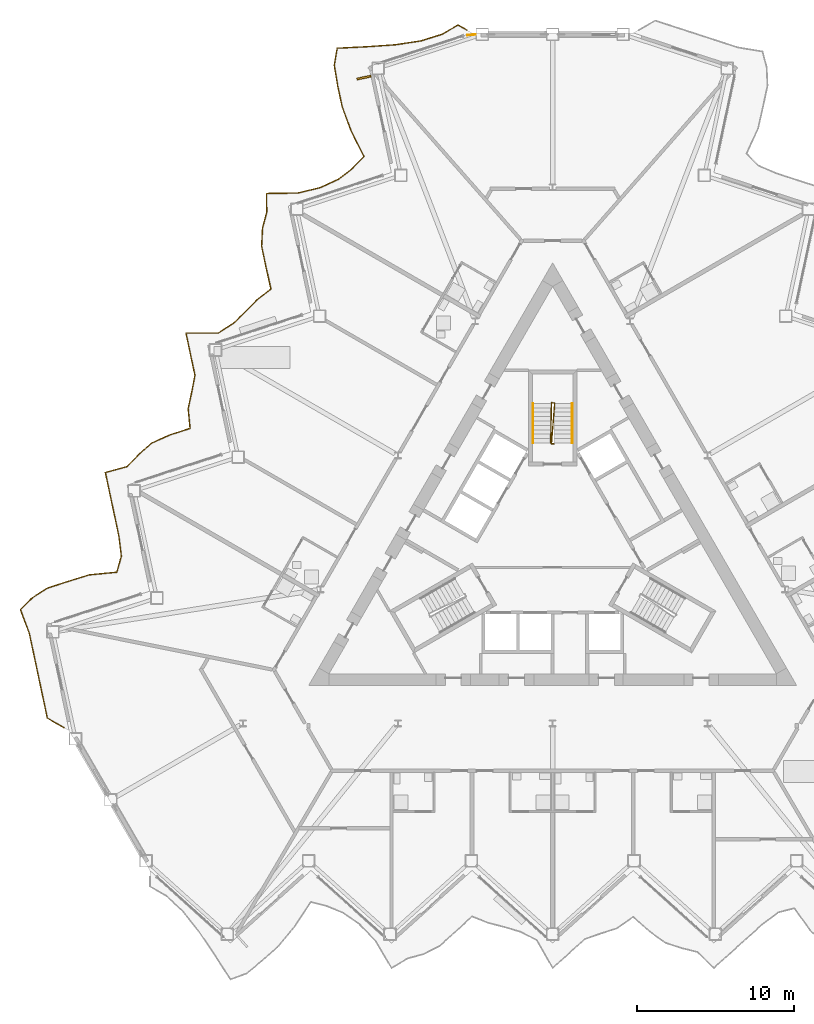
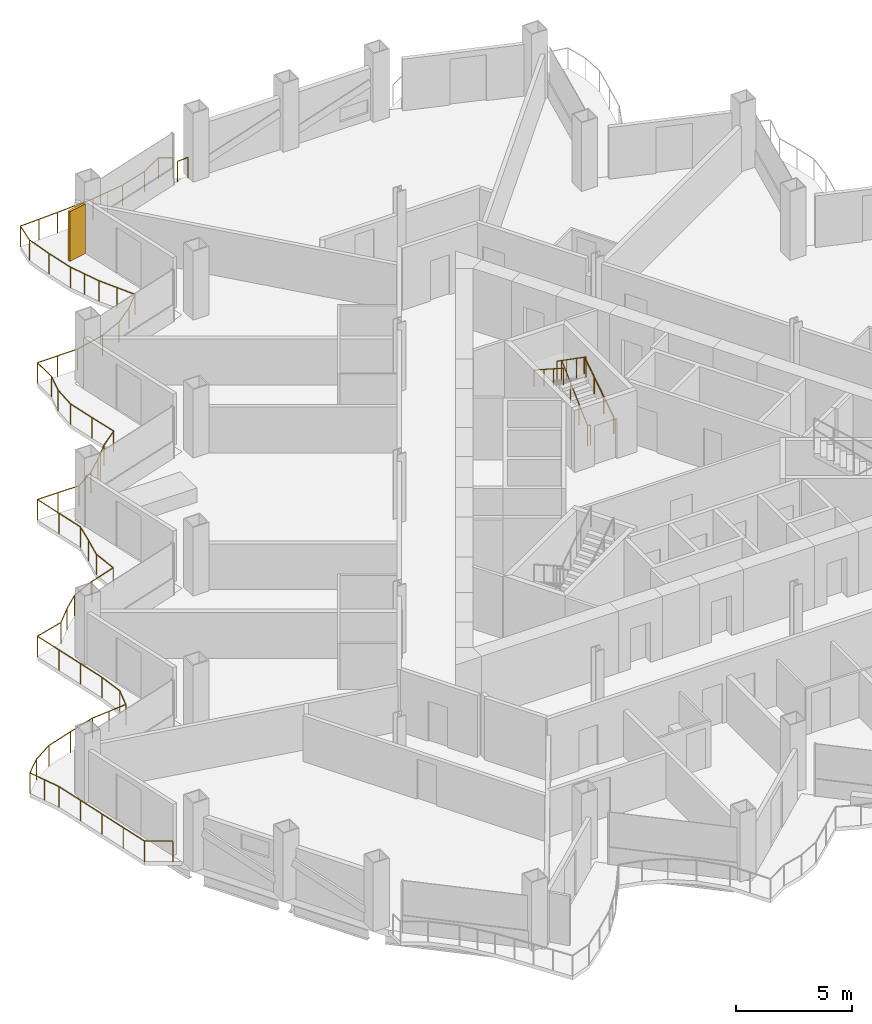
# One storey, part 20 of 23: 5 railings, 1 shading device.
"""IFC4 building model written with IfcOpenShell, lengths in metres."""

from ifc_helpers import new_model, si_unit, direction, frame, origin, origin_2d, place, context, subcontext, project, spatial, rectangle, circle, extrude, material, layer, layer_set, type_object, element, save


model = new_model("IFC4")

# Units and contexts
model_context = context("Model", 3, precision=1e-05, world=origin(), true_north=direction((0.0, 1.0)))
body_context = subcontext(model_context, "Body", "Model", "MODEL_VIEW")
ifc_project = project(units=[si_unit("LENGTHUNIT", "METRE"), si_unit("AREAUNIT", "SQUARE_METRE"), si_unit("VOLUMEUNIT", "CUBIC_METRE"), si_unit("PLANEANGLEUNIT", "RADIAN"), si_unit("MASSUNIT", "GRAM", prefix="KILO")], contexts=[model_context])

# Site, building, storey
site_placement = place(None, origin())
site = spatial("IfcSite", under=ifc_project, at=site_placement, CompositionType="ELEMENT")
building_placement = place(site_placement, origin())
building = spatial("IfcBuilding", under=site, at=building_placement, Name="Cormorant Prow Tower", CompositionType="ELEMENT")
storey_placement = place(building_placement, frame((0.0, 0.0, 176.39990234375)))
storey = spatial("IfcBuildingStorey", under=building, at=storey_placement, Name="L37", CompositionType="ELEMENT", Elevation=176.39990234375)

# Railings
ifc_material_1 = material(Name="Aluminium 6063-T6", Category="aluminium")
railing_type_1 = type_object("IfcRailingType", Name="Balcony guard 1100", PredefinedType="GUARDRAIL", material=ifc_material_1)
railing_1_placement = place(storey_placement, frame((-5.452880859375, 32.683837890625, 0.0)))
element("IfcRailing", 1, at=railing_1_placement, inside=storey, type_object=railing_type_1, Name="Balcony guard WNW", PredefinedType="GUARDRAIL", context=body_context, shape_type="SweptSolid", body=[
    extrude(circle(Radius=0.02392578125, at=origin_2d()), frame((0.0, 0.0, 1.076171875), z_axis=(-0.866038622153, 0.499977104415, 0.0), x_axis=(-0.499977104415, -0.866038622153, 0.0)), (0.0, 0.0, 1.0), 0.63623046875),
    extrude(circle(Radius=0.02392578125, at=origin_2d()), frame((-0.551025390625, 0.318115234375, 1.076171875), z_axis=(-0.866663041121, -0.498893949809, 0.0), x_axis=(0.498893949809, -0.866663041121, 0.0)), (0.0, 0.0, 1.0), 1.182373046875),
    extrude(circle(Radius=0.02392578125, at=origin_2d()), frame((-1.57568359375, -0.271728515625, 1.076171875), z_axis=(-0.953826861805, -0.300356983769, 0.0), x_axis=(0.300356983769, -0.953826861805, 0.0)), (0.0, 0.0, 1.0), 1.388427734375),
    extrude(circle(Radius=0.02392578125, at=origin_2d()), frame((-2.89990234375, -0.688720703125, 1.076171875), z_axis=(-0.988627028281, -0.150388160943, 0.0), x_axis=(0.150388160943, -0.988627028281, 0.0)), (0.0, 0.0, 1.0), 1.637939453125),
    extrude(circle(Radius=0.02392578125, at=origin_2d()), frame((-4.519287109375, -0.93505859375, 1.076171875), z_axis=(-0.997592938888, -0.069342110443, 0.0), x_axis=(0.069342110443, -0.997592938888, 0.0)), (0.0, 0.0, 1.0), 1.830810546875),
    extrude(circle(Radius=0.02392578125, at=origin_2d()), frame((-6.345703125, -1.06201171875, 1.076171875), z_axis=(-0.998798653488, -0.049002548825, 0.0), x_axis=(0.049002548825, -0.998798653488, 0.0)), (0.0, 0.0, 1.0), 1.88818359375),
    extrude(circle(Radius=0.02392578125, at=origin_2d()), frame((-8.231689453125, -1.154541015625, 1.076171875), z_axis=(-0.169914413175, -0.985458823186, 0.0), x_axis=(0.985458823186, -0.169914413175, 0.0)), (0.0, 0.0, 1.0), 1.090576171875),
    extrude(circle(Radius=0.02392578125, at=origin_2d()), frame((-8.4169921875, -2.229248046875, 1.076171875), z_axis=(0.163531909197, -0.986538045224, 0.0), x_axis=(0.986538045224, 0.163531909197, 0.0)), (0.0, 0.0, 1.0), 1.32421875),
    extrude(circle(Radius=0.02392578125, at=origin_2d()), frame((-8.200439453125, -3.53564453125, 1.076171875), z_axis=(0.208002968159, -0.978128194685, 0.0), x_axis=(0.978128194685, 0.208002968159, 0.0)), (0.0, 0.0, 1.0), 1.376708984375),
    extrude(circle(Radius=0.02392578125, at=origin_2d()), frame((-7.9140625, -4.88232421875, 1.076171875), z_axis=(0.347145599301, -0.937811245873, 0.0), x_axis=(0.937811245873, 0.347145599301, 0.0)), (0.0, 0.0, 1.0), 1.60205078125),
    extrude(circle(Radius=0.02392578125, at=origin_2d()), frame((-7.35791015625, -6.384765625, 1.076171875), z_axis=(0.446212366822, -0.894927105241, 0.0), x_axis=(0.894927105241, 0.446212366822, 0.0)), (0.0, 0.0, 1.0), 1.853759765625),
    extrude(circle(Radius=0.02392578125, at=origin_2d()), frame((-6.53076171875, -8.043701171875, 1.076171875), z_axis=(-0.700724814404, -0.713431660692, 0.0), x_axis=(0.713431660692, -0.700724814404, 0.0)), (0.0, 0.0, 1.0), 1.056640625),
    extrude(circle(Radius=0.02392578125, at=origin_2d()), frame((-7.271240234375, -8.797607421875, 1.076171875), z_axis=(-0.791037314197, -0.611767903332, 0.0), x_axis=(0.611767903332, -0.791037314197, 0.0)), (0.0, 0.0, 1.0), 1.105712890625),
    extrude(circle(Radius=0.02392578125, at=origin_2d()), frame((-8.14599609375, -9.47412109375, 1.076171875), z_axis=(-0.90658206108, -0.422029580158, 0.0), x_axis=(0.422029580158, -0.90658206108, 0.0)), (0.0, 0.0, 1.0), 1.24951171875),
    extrude(circle(Radius=0.02392578125, at=origin_2d()), frame((-9.27880859375, -10.00146484375, 1.076171875), z_axis=(-0.971860383997, -0.23555762356, 0.0), x_axis=(0.23555762356, -0.971860383997, 0.0)), (0.0, 0.0, 1.0), 1.483154296875),
    extrude(circle(Radius=0.02392578125, at=origin_2d()), frame((-10.72021484375, -10.350830078125, 1.076171875), z_axis=(-0.999908124347, -0.01355517853, 0.0), x_axis=(0.01355517853, -0.999908124347, 0.0)), (0.0, 0.0, 1.0), 1.999267578125),
    extrude(circle(Radius=0.02392578125, at=origin_2d()), frame((-12.71923828125, -10.3779296875, 1.076171875), z_axis=(0.012106643957, -0.9999267119, 0.0), x_axis=(0.9999267119, 0.012106643957, 0.0)), (0.0, 0.0, 1.0), 1.189697265625),
    extrude(circle(Radius=0.02392578125, at=origin_2d()), frame((-12.704833984375, -11.567626953125, 1.076171875), z_axis=(-0.253836229933, -0.967247211613, 0.0), x_axis=(0.967247211613, -0.253836229933, 0.0)), (0.0, 0.0, 1.0), 1.060791015625),
    extrude(circle(Radius=0.02392578125, at=origin_2d()), frame((-12.97412109375, -12.59375, 1.076171875), z_axis=(-0.048381770331, -0.998828916431, 0.0), x_axis=(0.998828916431, -0.048381770331, 0.0)), (0.0, 0.0, 1.0), 1.150634765625),
    extrude(circle(Radius=0.02392578125, at=origin_2d()), frame((-13.02978515625, -13.742919921875, 1.076171875), z_axis=(0.208002968159, -0.978128194685, 0.0), x_axis=(0.978128194685, 0.208002968159, 0.0)), (0.0, 0.0, 1.0), 1.376708984375),
    extrude(circle(Radius=0.02392578125, at=origin_2d()), frame((-12.743408203125, -15.089599609375, 1.076171875), z_axis=(0.218584635198, -0.975817993919, 0.0), x_axis=(0.975817993919, 0.218584635198, 0.0)), (0.0, 0.0, 1.0), 1.390625),
    extrude(circle(Radius=0.02392578125, at=origin_2d()), frame((-12.439453125, -16.446533203125, 1.076171875), z_axis=(-0.786049268655, -0.618163851456, 0.0), x_axis=(0.618163851456, -0.786049268655, 0.0)), (0.0, 0.0, 1.0), 1.102294921875),
    extrude(circle(Radius=0.02392578125, at=origin_2d()), frame((-13.305908203125, -17.1279296875, 1.076171875), z_axis=(-0.699086114757, -0.715037484439, 0.0), x_axis=(0.715037484439, -0.699086114757, 0.0)), (0.0, 0.0, 1.0), 1.05615234375),
    extrude(circle(Radius=0.02392578125, at=origin_2d()), frame((-14.044189453125, -17.883056640625, 1.076171875), z_axis=(-0.724845128214, -0.688911852202, 0.0), x_axis=(0.688911852202, -0.724845128214, 0.0)), (0.0, 0.0, 1.0), 1.066650390625),
    extrude(circle(Radius=0.02392578125, at=origin_2d()), frame((-14.8173828125, -18.617919921875, 1.076171875), z_axis=(-0.837767194075, -0.546027589534, 0.0), x_axis=(0.546027589534, -0.837767194075, 0.0)), (0.0, 0.0, 1.0), 1.147216796875),
    extrude(circle(Radius=0.02392578125, at=origin_2d()), frame((-15.778564453125, -19.244384765625, 1.076171875), z_axis=(-0.999995940652, 0.002849329523, 0.0), x_axis=(-0.002849329523, -0.999995940652, 0.0)), (0.0, 0.0, 1.0), 2.056396484375),
    extrude(circle(Radius=0.02392578125, at=origin_2d()), frame((-17.8349609375, -19.238525390625, 1.076171875), z_axis=(0.207833305176, -0.978164258834, 0.0), x_axis=(0.978164258834, 0.207833305176, 0.0)), (0.0, 0.0, 1.0), 1.376708984375),
    extrude(circle(Radius=0.02392578125, at=origin_2d()), frame((-17.548828125, -20.585205078125, 1.076171875), z_axis=(0.208002968159, -0.978128194685, 0.0), x_axis=(0.978128194685, 0.208002968159, 0.0)), (0.0, 0.0, 1.0), 1.376708984375),
    extrude(circle(Radius=0.02392578125, at=origin_2d()), frame((-17.262451171875, -21.931884765625, 1.076171875), z_axis=(-0.189909697907, -0.981801561743, 0.0), x_axis=(0.981801561743, -0.189909697907, 0.0)), (0.0, 0.0, 1.0), 1.08251953125),
    extrude(circle(Radius=0.02392578125, at=origin_2d()), frame((-17.468017578125, -22.99462890625, 1.076171875), z_axis=(-0.209063998537, -0.977901960585, 0.0), x_axis=(0.977901960585, -0.209063998537, 0.0)), (0.0, 0.0, 1.0), 1.075439453125),
    extrude(circle(Radius=0.02392578125, at=origin_2d()), frame((-17.69287109375, -24.04638671875, 1.076171875), z_axis=(0.095423555182, -0.995436760983, 0.0), x_axis=(0.995436760983, 0.095423555182, 0.0)), (0.0, 0.0, 1.0), 1.256103515625),
    extrude(circle(Radius=0.02392578125, at=origin_2d()), frame((-17.572998046875, -25.296875, 1.076171875), z_axis=(-0.951032765546, -0.309090082108, 0.0), x_axis=(0.309090082108, -0.951032765546, 0.0)), (0.0, 0.0, 1.0), 1.376708984375),
    extrude(circle(Radius=0.02392578125, at=origin_2d()), frame((-18.88232421875, -25.722412109375, 1.076171875), z_axis=(-0.911438592886, -0.41143613283, 0.0), x_axis=(0.41143613283, -0.911438592886, 0.0)), (0.0, 0.0, 1.0), 1.259765625),
    extrude(circle(Radius=0.02392578125, at=origin_2d()), frame((-20.030517578125, -26.24072265625, 1.076171875), z_axis=(-0.743440776752, -0.668801772922, 0.0), x_axis=(0.668801772922, -0.743440776752, 0.0)), (0.0, 0.0, 1.0), 1.076171875),
    extrude(circle(Radius=0.02392578125, at=origin_2d()), frame((-20.83056640625, -26.96044921875, 1.076171875), z_axis=(-0.694255556415, -0.719728575497, 0.0), x_axis=(0.719728575497, -0.694255556415, 0.0)), (0.0, 0.0, 1.0), 1.05419921875),
    extrude(circle(Radius=0.02392578125, at=origin_2d()), frame((-21.5625, -27.71923828125, 1.076171875), z_axis=(-0.964536414051, -0.263949817141, 0.0), x_axis=(0.263949817141, -0.964536414051, 0.0)), (0.0, 0.0, 1.0), 1.439208984375),
    extrude(circle(Radius=0.02392578125, at=origin_2d()), frame((-22.95068359375, -28.09912109375, 1.076171875), z_axis=(0.207797260524, -0.978171916648, 0.0), x_axis=(0.978171916648, 0.207797260524, 0.0)), (0.0, 0.0, 1.0), 1.376953125),
    extrude(circle(Radius=0.02392578125, at=origin_2d()), frame((-22.66455078125, -29.446044921875, 1.076171875), z_axis=(0.208039051809, -0.978120520653, 0.0), x_axis=(0.978120520653, 0.208039051809, 0.0)), (0.0, 0.0, 1.0), 1.37646484375),
    extrude(circle(Radius=0.02392578125, at=origin_2d()), frame((-22.378173828125, -30.79248046875, 1.076171875), z_axis=(0.207833305176, -0.978164258834, 0.0), x_axis=(0.978164258834, 0.207833305176, 0.0)), (0.0, 0.0, 1.0), 1.376708984375),
    extrude(circle(Radius=0.02392578125, at=origin_2d()), frame((-22.092041015625, -32.13916015625, 1.076171875), z_axis=(0.121947285507, -0.992536578448, 0.0), x_axis=(0.992536578448, 0.121947285507, 0.0)), (0.0, 0.0, 1.0), 1.28125),
    extrude(circle(Radius=0.02392578125, at=origin_2d()), frame((-21.935791015625, -33.410888671875, 1.076171875), z_axis=(-0.270290231117, -0.962778889965, 0.0), x_axis=(0.962778889965, -0.270290231117, 0.0)), (0.0, 0.0, 1.0), 1.055908203125),
    extrude(circle(Radius=0.02392578125, at=origin_2d()), frame((-22.22119140625, -34.427490234375, 1.076171875), z_axis=(-0.995438663589, -0.095403705552, 0.0), x_axis=(0.095403705552, -0.995438663589, 0.0)), (0.0, 0.0, 1.0), 1.76318359375),
    extrude(circle(Radius=0.02392578125, at=origin_2d()), frame((-23.976318359375, -34.595703125, 1.076171875), z_axis=(-0.955113715123, -0.296239415311, 0.0), x_axis=(0.296239415311, -0.955113715123, 0.0)), (0.0, 0.0, 1.0), 1.3935546875),
    extrude(circle(Radius=0.02392578125, at=origin_2d()), frame((-25.307373046875, -35.008544921875, 1.076171875), z_axis=(-0.951084882537, -0.308929678422, 0.0), x_axis=(0.308929678422, -0.951084882537, 0.0)), (0.0, 0.0, 1.0), 1.376708984375),
    extrude(circle(Radius=0.02392578125, at=origin_2d()), frame((-26.61669921875, -35.433837890625, 1.076171875), z_axis=(-0.84373988397, -0.536752278243, 0.0), x_axis=(0.536752278243, -0.84373988397, 0.0)), (0.0, 0.0, 1.0), 1.154052734375),
    extrude(circle(Radius=0.02392578125, at=origin_2d()), frame((-27.59033203125, -36.05322265625, 1.076171875), z_axis=(-0.711578739804, -0.702606359962, 0.0), x_axis=(0.702606359962, -0.711578739804, 0.0)), (0.0, 0.0, 1.0), 1.061279296875),
    extrude(circle(Radius=0.02392578125, at=origin_2d()), frame((-28.345458984375, -36.798828125, 1.076171875), z_axis=(0.350990514633, -0.936379014416, 0.0), x_axis=(0.936379014416, 0.350990514633, 0.0)), (0.0, 0.0, 1.0), 1.6103515625),
    extrude(circle(Radius=0.02392578125, at=origin_2d()), frame((-27.7802734375, -38.306640625, 1.076171875), z_axis=(0.208002968159, -0.978128194685, 0.0), x_axis=(0.978128194685, 0.208002968159, 0.0)), (0.0, 0.0, 1.0), 1.376708984375),
    extrude(circle(Radius=0.02392578125, at=origin_2d()), frame((-27.493896484375, -39.6533203125, 1.076171875), z_axis=(0.207833305176, -0.978164258834, 0.0), x_axis=(0.978164258834, 0.207833305176, 0.0)), (0.0, 0.0, 1.0), 1.376708984375),
    extrude(circle(Radius=0.02392578125, at=origin_2d()), frame((-27.207763671875, -41.0, 1.076171875), z_axis=(0.207833305176, -0.978164258834, 0.0), x_axis=(0.978164258834, 0.207833305176, 0.0)), (0.0, 0.0, 1.0), 1.376708984375),
    extrude(circle(Radius=0.02392578125, at=origin_2d()), frame((-26.921630859375, -42.3466796875, 1.076171875), z_axis=(0.208002968159, -0.978128194685, 0.0), x_axis=(0.978128194685, 0.208002968159, 0.0)), (0.0, 0.0, 1.0), 1.376708984375),
    extrude(circle(Radius=0.02392578125, at=origin_2d()), frame((-26.63525390625, -43.693359375, 1.076171875), z_axis=(0.866092288191, -0.499884134912, 0.0), x_axis=(0.499884134912, 0.866092288191, 0.0)), (0.0, 0.0, 1.0), 1.219970703125),
    extrude(circle(Radius=0.02099609375, at=origin_2d()), origin(), (0.0, 0.0, 1.0), 1.052001953125),
    extrude(circle(Radius=0.02099609375, at=origin_2d()), frame((-0.551025390625, 0.318115234375, 0.0)), (0.0, 0.0, 1.0), 1.052001953125),
    extrude(circle(Radius=0.02099609375, at=origin_2d()), frame((-1.57568359375, -0.271728515625, 0.0)), (0.0, 0.0, 1.0), 1.052001953125),
    extrude(circle(Radius=0.02099609375, at=origin_2d()), frame((-2.89990234375, -0.688720703125, 0.0)), (0.0, 0.0, 1.0), 1.052001953125),
    extrude(circle(Radius=0.02099609375, at=origin_2d()), frame((-3.70947265625, -0.81201171875, 0.0)), (0.0, 0.0, 1.0), 1.052001953125),
    extrude(circle(Radius=0.02099609375, at=origin_2d()), frame((-4.519287109375, -0.93505859375, 0.0)), (0.0, 0.0, 1.0), 1.052001953125),
    extrude(circle(Radius=0.02099609375, at=origin_2d()), frame((-5.4326171875, -0.99853515625, 0.0)), (0.0, 0.0, 1.0), 1.052001953125),
    extrude(circle(Radius=0.02099609375, at=origin_2d()), frame((-6.345703125, -1.06201171875, 0.0)), (0.0, 0.0, 1.0), 1.052001953125),
    extrude(circle(Radius=0.02099609375, at=origin_2d()), frame((-7.28857421875, -1.1083984375, 0.0)), (0.0, 0.0, 1.0), 1.052001953125),
    extrude(circle(Radius=0.02099609375, at=origin_2d()), frame((-8.231689453125, -1.154541015625, 0.0)), (0.0, 0.0, 1.0), 1.052001953125),
    extrude(circle(Radius=0.02099609375, at=origin_2d()), frame((-8.4169921875, -2.229248046875, 0.0)), (0.0, 0.0, 1.0), 1.052001953125),
    extrude(circle(Radius=0.02099609375, at=origin_2d()), frame((-8.200439453125, -3.53564453125, 0.0)), (0.0, 0.0, 1.0), 1.052001953125),
    extrude(circle(Radius=0.02099609375, at=origin_2d()), frame((-7.9140625, -4.88232421875, 0.0)), (0.0, 0.0, 1.0), 1.052001953125),
    extrude(circle(Radius=0.02099609375, at=origin_2d()), frame((-7.635986328125, -5.633544921875, 0.0)), (0.0, 0.0, 1.0), 1.052001953125),
    extrude(circle(Radius=0.02099609375, at=origin_2d()), frame((-7.35791015625, -6.384765625, 0.0)), (0.0, 0.0, 1.0), 1.052001953125),
    extrude(circle(Radius=0.02099609375, at=origin_2d()), frame((-6.9443359375, -7.21435546875, 0.0)), (0.0, 0.0, 1.0), 1.052001953125),
    extrude(circle(Radius=0.02099609375, at=origin_2d()), frame((-6.53076171875, -8.043701171875, 0.0)), (0.0, 0.0, 1.0), 1.052001953125),
    extrude(circle(Radius=0.02099609375, at=origin_2d()), frame((-7.271240234375, -8.797607421875, 0.0)), (0.0, 0.0, 1.0), 1.052001953125),
    extrude(circle(Radius=0.02099609375, at=origin_2d()), frame((-8.14599609375, -9.47412109375, 0.0)), (0.0, 0.0, 1.0), 1.052001953125),
    extrude(circle(Radius=0.02099609375, at=origin_2d()), frame((-9.27880859375, -10.00146484375, 0.0)), (0.0, 0.0, 1.0), 1.052001953125),
    extrude(circle(Radius=0.02099609375, at=origin_2d()), frame((-10.72021484375, -10.350830078125, 0.0)), (0.0, 0.0, 1.0), 1.052001953125),
    extrude(circle(Radius=0.02099609375, at=origin_2d()), frame((-11.7197265625, -10.3642578125, 0.0)), (0.0, 0.0, 1.0), 1.052001953125),
    extrude(circle(Radius=0.02099609375, at=origin_2d()), frame((-12.71923828125, -10.3779296875, 0.0)), (0.0, 0.0, 1.0), 1.052001953125),
    extrude(circle(Radius=0.02099609375, at=origin_2d()), frame((-12.704833984375, -11.567626953125, 0.0)), (0.0, 0.0, 1.0), 1.052001953125),
    extrude(circle(Radius=0.02099609375, at=origin_2d()), frame((-12.97412109375, -12.59375, 0.0)), (0.0, 0.0, 1.0), 1.052001953125),
    extrude(circle(Radius=0.02099609375, at=origin_2d()), frame((-13.02978515625, -13.742919921875, 0.0)), (0.0, 0.0, 1.0), 1.052001953125),
    extrude(circle(Radius=0.02099609375, at=origin_2d()), frame((-12.743408203125, -15.089599609375, 0.0)), (0.0, 0.0, 1.0), 1.052001953125),
    extrude(circle(Radius=0.02099609375, at=origin_2d()), frame((-12.439453125, -16.446533203125, 0.0)), (0.0, 0.0, 1.0), 1.052001953125),
    extrude(circle(Radius=0.02099609375, at=origin_2d()), frame((-13.305908203125, -17.1279296875, 0.0)), (0.0, 0.0, 1.0), 1.052001953125),
    extrude(circle(Radius=0.02099609375, at=origin_2d()), frame((-14.044189453125, -17.883056640625, 0.0)), (0.0, 0.0, 1.0), 1.052001953125),
    extrude(circle(Radius=0.02099609375, at=origin_2d()), frame((-14.8173828125, -18.617919921875, 0.0)), (0.0, 0.0, 1.0), 1.052001953125),
    extrude(circle(Radius=0.02099609375, at=origin_2d()), frame((-15.778564453125, -19.244384765625, 0.0)), (0.0, 0.0, 1.0), 1.052001953125),
    extrude(circle(Radius=0.02099609375, at=origin_2d()), frame((-16.806640625, -19.241455078125, 0.0)), (0.0, 0.0, 1.0), 1.052001953125),
    extrude(circle(Radius=0.02099609375, at=origin_2d()), frame((-17.8349609375, -19.238525390625, 0.0)), (0.0, 0.0, 1.0), 1.052001953125),
    extrude(circle(Radius=0.02099609375, at=origin_2d()), frame((-17.548828125, -20.585205078125, 0.0)), (0.0, 0.0, 1.0), 1.052001953125),
    extrude(circle(Radius=0.02099609375, at=origin_2d()), frame((-17.262451171875, -21.931884765625, 0.0)), (0.0, 0.0, 1.0), 1.052001953125),
    extrude(circle(Radius=0.02099609375, at=origin_2d()), frame((-17.468017578125, -22.99462890625, 0.0)), (0.0, 0.0, 1.0), 1.052001953125),
    extrude(circle(Radius=0.02099609375, at=origin_2d()), frame((-17.69287109375, -24.04638671875, 0.0)), (0.0, 0.0, 1.0), 1.052001953125),
    extrude(circle(Radius=0.02099609375, at=origin_2d()), frame((-17.572998046875, -25.296875, 0.0)), (0.0, 0.0, 1.0), 1.052001953125),
    extrude(circle(Radius=0.02099609375, at=origin_2d()), frame((-18.88232421875, -25.722412109375, 0.0)), (0.0, 0.0, 1.0), 1.052001953125),
    extrude(circle(Radius=0.02099609375, at=origin_2d()), frame((-20.030517578125, -26.24072265625, 0.0)), (0.0, 0.0, 1.0), 1.052001953125),
    extrude(circle(Radius=0.02099609375, at=origin_2d()), frame((-20.83056640625, -26.96044921875, 0.0)), (0.0, 0.0, 1.0), 1.052001953125),
    extrude(circle(Radius=0.02099609375, at=origin_2d()), frame((-21.5625, -27.71923828125, 0.0)), (0.0, 0.0, 1.0), 1.052001953125),
    extrude(circle(Radius=0.02099609375, at=origin_2d()), frame((-22.95068359375, -28.09912109375, 0.0)), (0.0, 0.0, 1.0), 1.052001953125),
    extrude(circle(Radius=0.02099609375, at=origin_2d()), frame((-22.66455078125, -29.446044921875, 0.0)), (0.0, 0.0, 1.0), 1.052001953125),
    extrude(circle(Radius=0.02099609375, at=origin_2d()), frame((-22.378173828125, -30.79248046875, 0.0)), (0.0, 0.0, 1.0), 1.052001953125),
    extrude(circle(Radius=0.02099609375, at=origin_2d()), frame((-22.092041015625, -32.13916015625, 0.0)), (0.0, 0.0, 1.0), 1.052001953125),
    extrude(circle(Radius=0.02099609375, at=origin_2d()), frame((-21.935791015625, -33.410888671875, 0.0)), (0.0, 0.0, 1.0), 1.052001953125),
    extrude(circle(Radius=0.02099609375, at=origin_2d()), frame((-22.22119140625, -34.427490234375, 0.0)), (0.0, 0.0, 1.0), 1.052001953125),
    extrude(circle(Radius=0.02099609375, at=origin_2d()), frame((-23.0986328125, -34.51171875, 0.0)), (0.0, 0.0, 1.0), 1.052001953125),
    extrude(circle(Radius=0.02099609375, at=origin_2d()), frame((-23.976318359375, -34.595703125, 0.0)), (0.0, 0.0, 1.0), 1.052001953125),
    extrude(circle(Radius=0.02099609375, at=origin_2d()), frame((-25.307373046875, -35.008544921875, 0.0)), (0.0, 0.0, 1.0), 1.052001953125),
    extrude(circle(Radius=0.02099609375, at=origin_2d()), frame((-26.61669921875, -35.433837890625, 0.0)), (0.0, 0.0, 1.0), 1.052001953125),
    extrude(circle(Radius=0.02099609375, at=origin_2d()), frame((-27.59033203125, -36.05322265625, 0.0)), (0.0, 0.0, 1.0), 1.052001953125),
    extrude(circle(Radius=0.02099609375, at=origin_2d()), frame((-28.345458984375, -36.798828125, 0.0)), (0.0, 0.0, 1.0), 1.052001953125),
    extrude(circle(Radius=0.02099609375, at=origin_2d()), frame((-28.06298828125, -37.552734375, 0.0)), (0.0, 0.0, 1.0), 1.052001953125),
    extrude(circle(Radius=0.02099609375, at=origin_2d()), frame((-27.7802734375, -38.306640625, 0.0)), (0.0, 0.0, 1.0), 1.052001953125),
    extrude(circle(Radius=0.02099609375, at=origin_2d()), frame((-27.493896484375, -39.6533203125, 0.0)), (0.0, 0.0, 1.0), 1.052001953125),
    extrude(circle(Radius=0.02099609375, at=origin_2d()), frame((-27.207763671875, -41.0, 0.0)), (0.0, 0.0, 1.0), 1.052001953125),
    extrude(circle(Radius=0.02099609375, at=origin_2d()), frame((-26.921630859375, -42.3466796875, 0.0)), (0.0, 0.0, 1.0), 1.052001953125),
    extrude(circle(Radius=0.02099609375, at=origin_2d()), frame((-26.63525390625, -43.693359375, 0.0)), (0.0, 0.0, 1.0), 1.052001953125),
    extrude(circle(Radius=0.02099609375, at=origin_2d()), frame((-25.57861328125, -44.30322265625, 0.0)), (0.0, 0.0, 1.0), 1.052001953125),
])
ifc_material_2 = material(Name="Stainless steel", Category="steel")
railing_type_2 = type_object("IfcRailingType", Name="Facade corner guard 1100", PredefinedType="GUARDRAIL", material=ifc_material_2)
railing_2_placement = place(storey_placement, frame((-5.416015625, 32.35205078125, 0.0)))
element("IfcRailing", 2, at=railing_2_placement, inside=storey, type_object=railing_type_2, Name="Facade corner guard L37 1", PredefinedType="GUARDRAIL", context=body_context, shape_type="SweptSolid", body=[
    extrude(circle(Radius=0.02392578125, at=origin_2d()), frame((0.0, 0.0, 1.076171875), z_axis=(0.996787247291, 0.080094841515, 0.0), x_axis=(-0.080094841515, 0.996787247291, 0.0)), (0.0, 0.0, 1.0), 0.52734375),
    extrude(circle(Radius=0.02099609375, at=origin_2d()), origin(), (0.0, 0.0, 1.0), 1.052001953125),
    extrude(circle(Radius=0.02099609375, at=origin_2d()), frame((0.525634765625, 0.042236328125, 0.0)), (0.0, 0.0, 1.0), 1.052001953125),
])
ifc_material_3 = material(Name="Stainless steel", Category="steel")
railing_type_3 = type_object("IfcRailingType", Name="Stair guard 1100", PredefinedType="GUARDRAIL", material=ifc_material_3)
railing_3_placement = place(storey_placement, frame((0.074951171875, 6.40576171875, 0.0)))
element("IfcRailing", 3, at=railing_3_placement, inside=storey, type_object=railing_type_3, Name="L37 ST3 stair guard 1", PredefinedType="GUARDRAIL", context=body_context, shape_type="SweptSolid", body=[
    extrude(circle(Radius=0.02392578125, at=origin_2d()), frame((0.0, 0.0, 1.076171875), z_axis=(-1.0, 0.0, 0.0), x_axis=(0.0, -1.0, 0.0)), (0.0, 0.0, 1.0), 0.14990234375),
    extrude(circle(Radius=0.02392578125, at=origin_2d()), frame((-0.14990234375, 0.0, 1.076171875), z_axis=(0.063595540489, 0.817423998443, 0.572515164864), x_axis=(-0.996987254287, 0.077565551559, 0.0)), (0.0, 0.0, 1.0), 3.14404296875),
    extrude(circle(Radius=0.02392578125, at=origin_2d()), frame((0.050048828125, 2.570068359375, 2.8759765625), z_axis=(-0.970072785993, 0.242814311512, 0.0), x_axis=(-0.242814311512, -0.970072785993, 0.0)), (0.0, 0.0, 1.0), 0.2060546875),
    extrude(circle(Radius=0.02392578125, at=origin_2d()), frame((-0.14990234375, 2.6201171875, 2.8759765625), z_axis=(-0.01594855688, -0.818977845239, 0.573603462805), x_axis=(0.999810440751, -0.019470042781, 0.0)), (0.0, 0.0, 1.0), 3.13818359375),
    extrude(circle(Radius=0.02099609375, at=origin_2d()), origin(), (0.0, 0.0, 1.0), 1.052001953125),
    extrude(circle(Radius=0.02099609375, at=origin_2d()), frame((-0.14990234375, 0.0, 0.0)), (0.0, 0.0, 1.0), 1.052001953125),
    extrude(circle(Radius=0.02099609375, at=origin_2d()), frame((-0.083251953125, 0.856689453125, 0.60009765625)), (0.0, 0.0, 1.0), 1.052001953125),
    extrude(circle(Radius=0.02099609375, at=origin_2d()), frame((-0.0166015625, 1.71337890625, 1.199951171875)), (0.0, 0.0, 1.0), 1.052001953125),
    extrude(circle(Radius=0.02099609375, at=origin_2d()), frame((0.050048828125, 2.570068359375, 1.800048828125)), (0.0, 0.0, 1.0), 1.052001953125),
    extrude(circle(Radius=0.02099609375, at=origin_2d()), frame((-0.14990234375, 2.6201171875, 1.800048828125)), (0.0, 0.0, 1.0), 1.052001953125),
    extrude(circle(Radius=0.02099609375, at=origin_2d()), frame((-0.16650390625, 1.763427734375, 2.400146484375)), (0.0, 0.0, 1.0), 1.052001953125),
    extrude(circle(Radius=0.02099609375, at=origin_2d()), frame((-0.183349609375, 0.90673828125, 3.0)), (0.0, 0.0, 1.0), 1.052001953125),
    extrude(circle(Radius=0.02099609375, at=origin_2d()), frame((-0.199951171875, 0.050048828125, 3.60009765625)), (0.0, 0.0, 1.0), 1.052001953125),
])
ifc_material_4 = material(Name="Stainless steel", Category="steel")
railing_type_4 = type_object("IfcRailingType", Name="Stair handrail 900", PredefinedType="HANDRAIL", material=ifc_material_4)
railing_4_placement = place(storey_placement, frame((1.243896484375, 6.455810546875, 0.18017578125)))
element("IfcRailing", 4, at=railing_4_placement, inside=storey, type_object=railing_type_4, Name="L37 ST3 stair handrail 1", PredefinedType="HANDRAIL", context=body_context, shape_type="SweptSolid", body=[
    extrude(circle(Radius=0.02392578125, at=origin_2d()), frame((0.0, 0.0, 0.8759765625), z_axis=(0.0, 0.841199657755, 0.540724639528), x_axis=(-1.0, 0.0, 0.0)), (0.0, 0.0, 1.0), 2.995849609375),
    extrude(circle(Radius=0.02099609375, at=origin_2d()), origin(), (0.0, 0.0, 1.0), 0.851806640625),
    extrude(circle(Radius=0.02099609375, at=origin_2d()), frame((0.0, 0.840087890625, 0.5400390625)), (0.0, 0.0, 1.0), 0.851806640625),
    extrude(circle(Radius=0.02099609375, at=origin_2d()), frame((0.0, 1.679931640625, 1.079833984375)), (0.0, 0.0, 1.0), 0.851806640625),
    extrude(circle(Radius=0.02099609375, at=origin_2d()), frame((0.0, 2.52001953125, 1.619873046875)), (0.0, 0.0, 1.0), 0.851806640625),
])
railing_5_placement = place(storey_placement, frame((-1.243896484375, 8.975830078125, 1.97998046875)))
element("IfcRailing", 5, at=railing_5_placement, inside=storey, type_object=railing_type_4, Name="L37 ST3 stair handrail 2", PredefinedType="HANDRAIL", context=body_context, shape_type="SweptSolid", body=[
    extrude(circle(Radius=0.02392578125, at=origin_2d()), frame((0.0, 0.0, 0.8759765625), z_axis=(0.0, -0.841162588446, 0.540782303519), x_axis=(1.0, 0.0, 0.0)), (0.0, 0.0, 1.0), 2.995849609375),
    extrude(circle(Radius=0.02099609375, at=origin_2d()), origin(), (0.0, 0.0, 1.0), 0.851806640625),
    extrude(circle(Radius=0.02099609375, at=origin_2d()), frame((0.0, -0.840087890625, 0.5400390625)), (0.0, 0.0, 1.0), 0.851806640625),
    extrude(circle(Radius=0.02099609375, at=origin_2d()), frame((0.0, -1.679931640625, 1.080078125)), (0.0, 0.0, 1.0), 0.851806640625),
    extrude(circle(Radius=0.02099609375, at=origin_2d()), frame((0.0, -2.52001953125, 1.6201171875)), (0.0, 0.0, 1.0), 0.851806640625),
])

# Shading device
ifc_material_5 = material(Name="Terracotta", Category="masonry")
ifc_layer = layer(ifc_material_5, 0.1201171875)
ifc_layer_set = layer_set([ifc_layer], Name="Terracotta")
shading_device_type = type_object("IfcShadingDeviceType", Name="Terracotta baguette fin 120x900x2600", PredefinedType="USERDEFINED", material=ifc_layer_set)
shading_device_placement = place(storey_placement, frame((-11.98046875, 29.65869140625, 0.0), z_axis=(0.0, 0.0, 1.0), x_axis=(0.207911728478, -0.978147592729, 0.0)))
element("IfcShadingDevice", 6, at=shading_device_placement, inside=storey, type_object=shading_device_type, Name="Baguette fin WNW01", ObjectType="BAGUETTE", PredefinedType="USERDEFINED", context=body_context, shape_type="SweptSolid", body=[
    extrude(rectangle(XDim=0.1201171875, YDim=0.89990234375, at=origin_2d()), origin(), (0.0, 0.0, 1.0), 2.60009765625),
])

save(model, "model.ifc")
